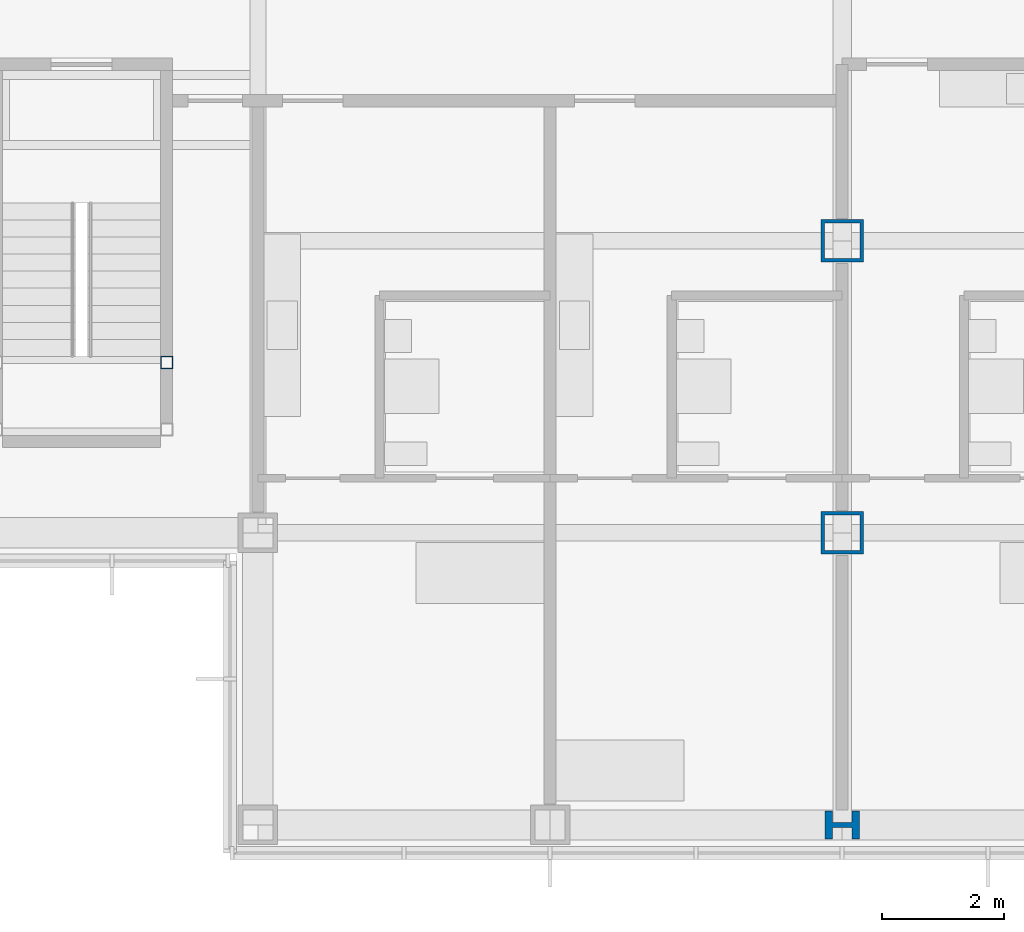
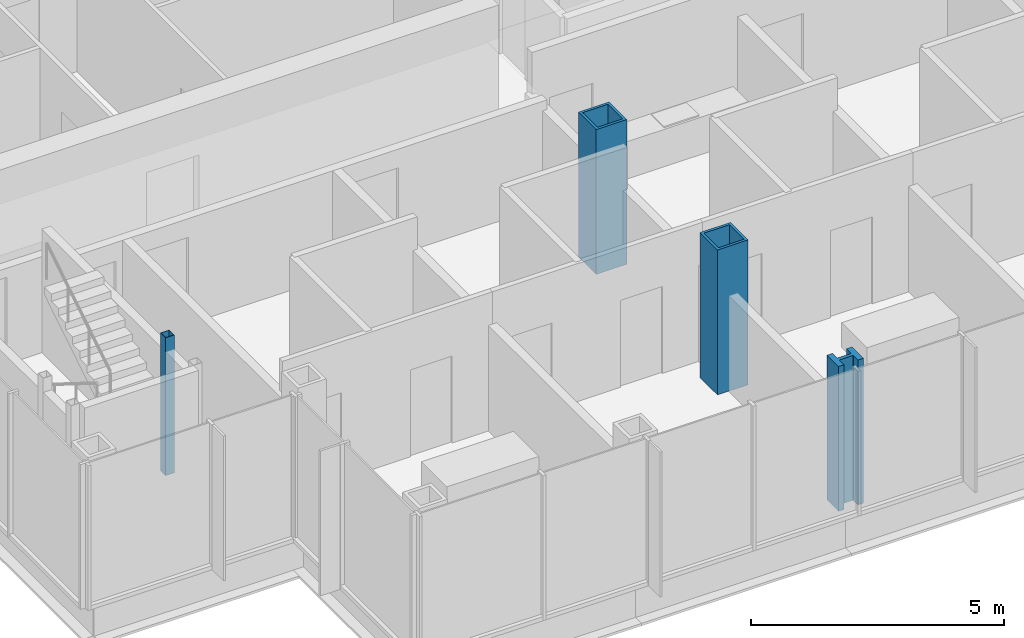
# One storey, part 2 of 19: 4 columns.
"""IFC4 building model written with IfcOpenShell, lengths in metres."""

from ifc_helpers import new_model, si_unit, direction, frame, origin, origin_2d, place, context, subcontext, project, spatial, hollow_rectangle, i_section, extrude, material, material_profile, profile_set, type_object, element, save


model = new_model("IFC4")

# Units and contexts
model_context = context("Model", 3, precision=1e-05, world=origin(), true_north=direction((0.0, 1.0)))
body_context = subcontext(model_context, "Body", "Model", "MODEL_VIEW")
ifc_project = project(units=[si_unit("LENGTHUNIT", "METRE"), si_unit("AREAUNIT", "SQUARE_METRE"), si_unit("VOLUMEUNIT", "CUBIC_METRE"), si_unit("PLANEANGLEUNIT", "RADIAN"), si_unit("MASSUNIT", "GRAM", prefix="KILO")], contexts=[model_context])

# Site, building, storey
site_placement = place(None, origin())
site = spatial("IfcSite", under=ifc_project, at=site_placement, CompositionType="ELEMENT")
building_placement = place(site_placement, origin())
building = spatial("IfcBuilding", under=site, at=building_placement, Name="Kvirike Care Tower", CompositionType="ELEMENT")
storey_placement = place(building_placement, frame((0.0, 0.0, 87.5)))
storey = spatial("IfcBuildingStorey", under=building, at=storey_placement, Name="L23", CompositionType="ELEMENT", Elevation=87.5)

# Columns
ifc_material_1 = material(Name="Steel S460", Category="steel")
ifc_material_profile_1 = material_profile(ifc_material_1, hollow_rectangle(XDim=0.699951171875, YDim=0.699951171875, WallThickness=0.06005859375, at=origin_2d()), Name="BX 700x700x60")
ifc_profile_set_1 = profile_set([ifc_material_profile_1], Name="Steel S460")
column_type_1 = type_object("IfcColumnType", Name="COLUMN BX 700x700x60", PredefinedType="COLUMN", material=ifc_profile_set_1)
for number, where, z_axis, x_axis, name in (
    (1, (28.800048828125, 19.199951171875, 0.0), (0.0, 0.0, 1.0), (1.0, 0.0, 0.0), "Column E9 L23"),
    (2, (28.800048828125, 24.0, 0.0), (0.0, 0.0, 1.0), (1.0, 0.0, 0.0), "Column F9 L23"),
):
    element("IfcColumn", number, at=place(storey_placement, frame(where, z_axis=z_axis, x_axis=x_axis)), inside=storey, type_object=column_type_1, Name=name, PredefinedType="COLUMN", context=body_context, shape_type="SweptSolid", body=[
        extrude(hollow_rectangle(XDim=0.699951171875, YDim=0.699951171875, WallThickness=0.06005859375, at=origin_2d()), origin(), (0.0, 0.0, 1.0), 3.5),
    ])
ifc_material_2 = material(Name="Steel S460", Category="steel")
ifc_material_profile_2 = material_profile(ifc_material_2, i_section(OverallWidth=0.4541015625, OverallDepth=0.569091796875, WebThickness=0.077880859375, FlangeThickness=0.125, FilletRadius=0.014892578125, at=origin_2d()), Name="HD 400x1086")
ifc_profile_set_2 = profile_set([ifc_material_profile_2], Name="Steel S460")
column_type_2 = type_object("IfcColumnType", Name="COLUMN HD 400x1086", PredefinedType="COLUMN", material=ifc_profile_set_2)
column_1_placement = place(storey_placement, frame((28.800048828125, 14.39990234375, 0.0), z_axis=(0.0, 0.0, 1.0), x_axis=(0.0, 1.0, 0.0)))
element("IfcColumn", 3, at=column_1_placement, inside=storey, type_object=column_type_2, Name="Column D9 L23", PredefinedType="COLUMN", context=body_context, shape_type="SweptSolid", body=[
    extrude(i_section(OverallWidth=0.4541015625, OverallDepth=0.569091796875, WebThickness=0.077880859375, FlangeThickness=0.125, FilletRadius=0.014892578125, at=origin_2d()), origin(), (0.0, 0.0, 1.0), 3.5),
])
ifc_material_3 = material(Name="Steel S460", Category="steel")
ifc_material_profile_3 = material_profile(ifc_material_3, hollow_rectangle(XDim=0.199951171875, YDim=0.199951171875, WallThickness=0.008056640625, at=origin_2d()), Name="SHS 200x200x8")
ifc_profile_set_3 = profile_set([ifc_material_profile_3], Name="Steel S460")
column_type_3 = type_object("IfcColumnType", Name="STAIR POST SHS 200x200x8", PredefinedType="COLUMN", material=ifc_profile_set_3)
column_2_placement = place(storey_placement, frame((17.699951171875, 22.0, 0.0), z_axis=(0.0, 0.0, 1.0), x_axis=(1.0, 0.0, 0.0)))
element("IfcColumn", 4, at=column_2_placement, inside=storey, type_object=column_type_3, Name="Stair 5 post 4 L23", PredefinedType="COLUMN", context=body_context, shape_type="SweptSolid", body=[
    extrude(hollow_rectangle(XDim=0.199951171875, YDim=0.199951171875, WallThickness=0.008056640625, at=origin_2d()), origin(), (0.0, 0.0, 1.0), 3.330078125),
])

save(model, "model.ifc")
